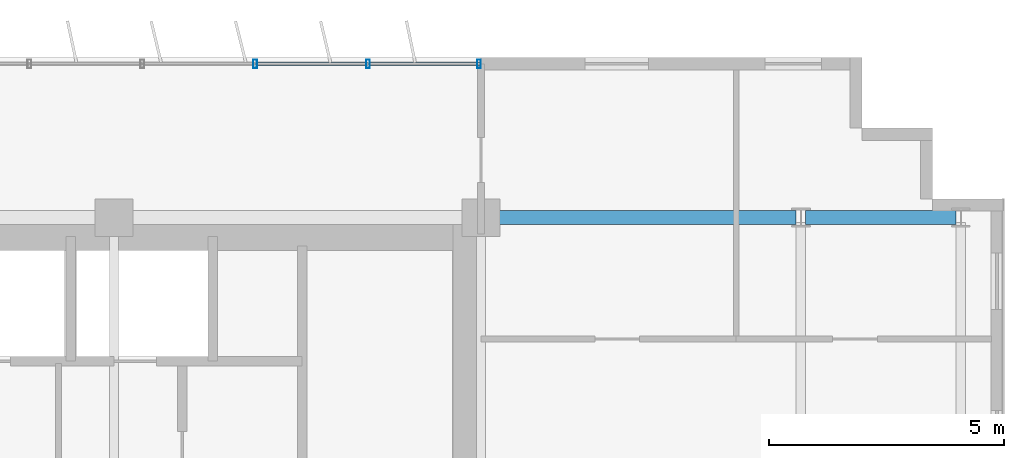
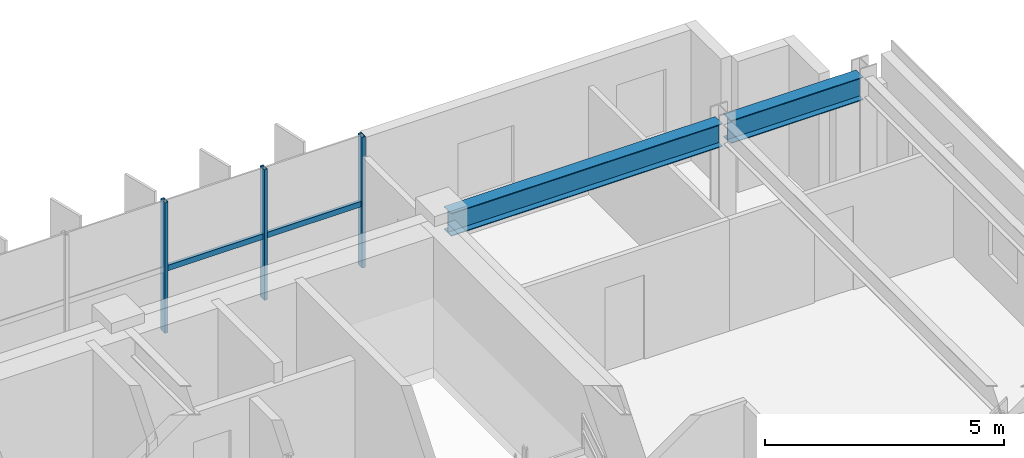
# One storey, part 11 of 22: 5 members, 2 beams, 1 element without a shape of its own.
"""IFC4 building model written with IfcOpenShell, lengths in metres."""

from ifc_helpers import new_model, si_unit, direction, frame, origin, origin_2d, place, context, subcontext, project, spatial, hollow_rectangle, i_section, extrude, source, transform, mapped, material, material_profile, profile_set, type_object, element, aggregate, save


model = new_model("IFC4")

# Units and contexts
model_context = context("Model", 3, precision=1e-05, world=origin(), true_north=direction((0.0, 1.0)))
body_context = subcontext(model_context, "Body", "Model", "MODEL_VIEW")
ifc_project = project(units=[si_unit("LENGTHUNIT", "METRE"), si_unit("AREAUNIT", "SQUARE_METRE"), si_unit("VOLUMEUNIT", "CUBIC_METRE"), si_unit("PLANEANGLEUNIT", "RADIAN"), si_unit("MASSUNIT", "GRAM", prefix="KILO")], contexts=[model_context])

# Site, building, storey
site_placement = place(None, origin())
site = spatial("IfcSite", under=ifc_project, at=site_placement, CompositionType="ELEMENT")
building_placement = place(site_placement, origin())
building = spatial("IfcBuilding", under=site, at=building_placement, Name="Trelvane Seafront Commons", CompositionType="ELEMENT")
storey_placement = place(building_placement, frame((0.0, 0.0, 114.10009765625)))
storey = spatial("IfcBuildingStorey", under=building, at=storey_placement, Name="L29", CompositionType="ELEMENT", Elevation=114.10009765625)

# Beams
ifc_material_1 = material(Name="Steel SM355 (S355)", Category="steel")
ifc_material_profile_1 = material_profile(ifc_material_1, i_section(OverallWidth=0.300048828125, OverallDepth=0.587890625, WebThickness=0.011962890625, FlangeThickness=0.02001953125, at=origin_2d()), Name="H-588x300x12x20")
ifc_profile_set_1 = profile_set([ifc_material_profile_1], Name="Steel SM355 (S355)")
beam_type = type_object("IfcBeamType", Name="STR-BM-H588", PredefinedType="BEAM", material=ifc_profile_set_1)
shared_shape_1 = source(origin(), body_context, "Body", "SweptSolid", [
    extrude(i_section(OverallWidth=0.300048828125, OverallDepth=0.587890625, WebThickness=0.011962890625, FlangeThickness=0.02001953125, at=origin_2d()), origin(), (0.0, 0.0, 1.0), 3.199951171875),
])
beam_1_placement = place(storey_placement, frame((65.699951171875, 45.10009765625, 3.0458984375), z_axis=(1.0, 0.0, 0.0), x_axis=(0.0, 1.0, 0.0)))
element("IfcBeam", 1, at=beam_1_placement, inside=storey, type_object=beam_type, Name="L29 Primary Girder G-36", PredefinedType="BEAM", context=body_context, shape_type="MappedRepresentation", body=[
    mapped(shared_shape_1, transform((0.0, 0.0, 0.0), x_axis=(1.0, 0.0, 0.0), y_axis=(0.0, 1.0, 0.0), z_axis=(0.0, 0.0, 1.0), scale=1.0)),
])
shared_shape_2 = source(origin(), body_context, "Body", "SweptSolid", [
    extrude(i_section(OverallWidth=0.300048828125, OverallDepth=0.587890625, WebThickness=0.011962890625, FlangeThickness=0.02001953125, at=origin_2d()), origin(), (0.0, 0.0, 1.0), 6.550048828125),
])
beam_2_placement = place(storey_placement, frame((58.949951171875, 45.10009765625, 3.0458984375), z_axis=(1.0, 0.0, 0.0), x_axis=(0.0, 1.0, 0.0)))
element("IfcBeam", 2, at=beam_2_placement, inside=storey, type_object=beam_type, Name="L29 Primary Girder G-35", PredefinedType="BEAM", context=body_context, shape_type="MappedRepresentation", body=[
    mapped(shared_shape_2, transform((0.0, 0.0, 0.0), x_axis=(1.0, 0.0, 0.0), y_axis=(0.0, 1.0, 0.0), z_axis=(0.0, 0.0, 1.0), scale=1.0)),
])

# Curtain wall, members
ifc_material_2 = material(Name="Anodised pale-silver aluminium", Category="aluminium")
curtain_wall_type = type_object("IfcCurtainWallType", Name="ARCH-CW4-SKYLOBBY", PredefinedType="NOTDEFINED", material=ifc_material_2)
curtain_wall_placement = place(storey_placement, origin())
curtain_wall = element("IfcCurtainWall", 3, at=curtain_wall_placement, inside=storey, type_object=curtain_wall_type, Name="CW-L29-0054", PredefinedType="NOTDEFINED")
ifc_material_profile_2 = material_profile(ifc_material_2, hollow_rectangle(XDim=0.074951171875, YDim=0.139892578125, WallThickness=0.00390625, at=origin_2d()), Name="TRAN-75x140x4")
ifc_profile_set_2 = profile_set([ifc_material_profile_2], Name="Anodised pale-silver aluminium")
member_type_1 = type_object("IfcMemberType", Name="ARCH-CW-TRAN-140", PredefinedType="USERDEFINED", material=ifc_profile_set_2)
shared_shape_3 = source(origin(), body_context, "Body", "SweptSolid", [
    extrude(hollow_rectangle(XDim=0.074951171875, YDim=0.139892578125, WallThickness=0.00390625, at=origin_2d()), origin(), (0.0, 0.0, 1.0), 2.3759765625),
])
member_1_placement = place(storey_placement, frame((54.011962890625, 48.3701171875, 1.602783203125), z_axis=(1.0, 0.0, 0.0), x_axis=(0.0, 1.0, 0.0)))
member_1 = element("IfcMember", 4, at=member_1_placement, type_object=member_type_1, Name="CW-L29-0054-T16", ObjectType="TRANSOM", PredefinedType="USERDEFINED", context=body_context, shape_type="MappedRepresentation", body=[
    mapped(shared_shape_3, transform((0.0, 0.0, 0.0), x_axis=(1.0, 0.0, 0.0), y_axis=(0.0, 1.0, 0.0), z_axis=(0.0, 0.0, 1.0), scale=1.0)),
])
member_2_placement = place(storey_placement, frame((56.412109375, 48.3701171875, 1.602783203125), z_axis=(1.0, 0.0, 0.0), x_axis=(0.0, 1.0, 0.0)))
member_2 = element("IfcMember", 5, at=member_2_placement, type_object=member_type_1, Name="CW-L29-0054-T17", ObjectType="TRANSOM", PredefinedType="USERDEFINED", context=body_context, shape_type="MappedRepresentation", body=[
    mapped(shared_shape_3, transform((0.0, 0.0, 0.0), x_axis=(1.0, 0.0, 0.0), y_axis=(0.0, 1.0, 0.0), z_axis=(0.0, 0.0, 1.0), scale=1.0)),
])
ifc_material_profile_3 = material_profile(ifc_material_2, hollow_rectangle(XDim=0.080078125, YDim=0.179931640625, WallThickness=0.00439453125, at=origin_2d()), Name="MULL-80x180x4.5")
ifc_profile_set_3 = profile_set([ifc_material_profile_3], Name="Anodised pale-silver aluminium")
member_type_2 = type_object("IfcMemberType", Name="ARCH-CW-MULL-180", PredefinedType="MULLION", material=ifc_profile_set_3)
shared_shape_4 = source(origin(), body_context, "Body", "SweptSolid", [
    extrude(hollow_rectangle(XDim=0.080078125, YDim=0.179931640625, WallThickness=0.00439453125, at=origin_2d()), origin(), (0.0, 0.0, 1.0), 3.33984375),
])
member_3_placement = place(storey_placement, frame((54.0, 48.3701171875, 0.0), z_axis=(0.0, 0.0, 1.0), x_axis=(1.0, 0.0, 0.0)))
member_3 = element("IfcMember", 6, at=member_3_placement, type_object=member_type_2, Name="CW-L29-0054-M16", PredefinedType="MULLION", context=body_context, shape_type="MappedRepresentation", body=[
    mapped(shared_shape_4, transform((0.0, 0.0, 0.0), x_axis=(1.0, 0.0, 0.0), y_axis=(0.0, 1.0, 0.0), z_axis=(0.0, 0.0, 1.0), scale=1.0)),
])
member_4_placement = place(storey_placement, frame((56.39990234375, 48.3701171875, 0.0), z_axis=(0.0, 0.0, 1.0), x_axis=(1.0, 0.0, 0.0)))
member_4 = element("IfcMember", 7, at=member_4_placement, type_object=member_type_2, Name="CW-L29-0054-M17", PredefinedType="MULLION", context=body_context, shape_type="MappedRepresentation", body=[
    mapped(shared_shape_4, transform((0.0, 0.0, 0.0), x_axis=(1.0, 0.0, 0.0), y_axis=(0.0, 1.0, 0.0), z_axis=(0.0, 0.0, 1.0), scale=1.0)),
])
member_5_placement = place(storey_placement, frame((58.760009765625, 48.3701171875, 0.0), z_axis=(0.0, 0.0, 1.0), x_axis=(1.0, 0.0, 0.0)))
member_5 = element("IfcMember", 8, at=member_5_placement, type_object=member_type_2, Name="CW-L29-0054-M18", PredefinedType="MULLION", context=body_context, shape_type="MappedRepresentation", body=[
    mapped(shared_shape_4, transform((0.0, 0.0, 0.0), x_axis=(1.0, 0.0, 0.0), y_axis=(0.0, 1.0, 0.0), z_axis=(0.0, 0.0, 1.0), scale=1.0)),
])
aggregate(curtain_wall, [member_3, member_4, member_5, member_1, member_2])

save(model, "model.ifc")
